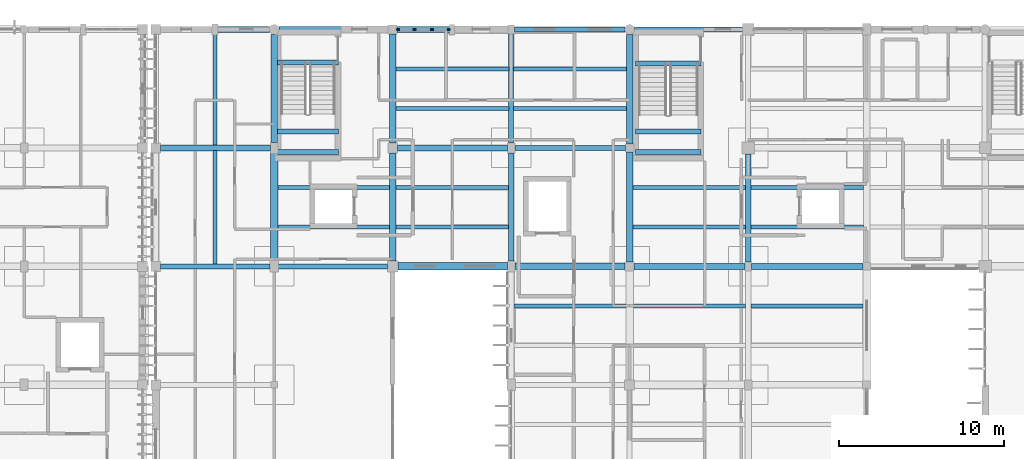
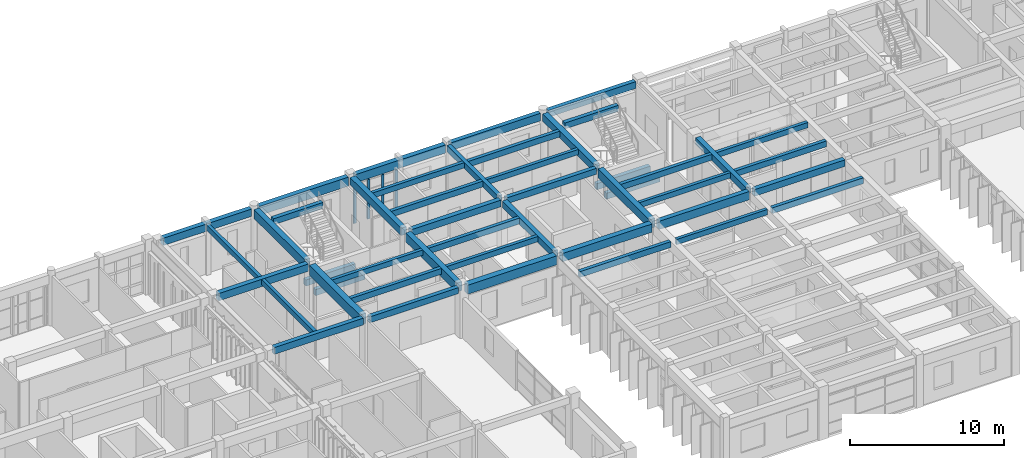
# One storey, part 16 of 55: 46 beams, 4 members, 1 element without a shape of its own.
"""IFC4 building model written with IfcOpenShell, lengths in metres."""

from ifc_helpers import new_model, si_unit, direction, frame, origin, origin_2d, place, context, subcontext, project, spatial, rectangle, extrude, material, material_profile, profile_set, type_object, element, aggregate, save


model = new_model("IFC4")

# Units and contexts
model_context = context("Model", 3, precision=1e-05, world=origin(), true_north=direction((0.0, 1.0)))
body_context = subcontext(model_context, "Body", "Model", "MODEL_VIEW")
ifc_project = project(units=[si_unit("LENGTHUNIT", "METRE"), si_unit("AREAUNIT", "SQUARE_METRE"), si_unit("VOLUMEUNIT", "CUBIC_METRE"), si_unit("PLANEANGLEUNIT", "RADIAN"), si_unit("MASSUNIT", "GRAM", prefix="KILO")], contexts=[model_context])

# Site, building, storey
site_placement = place(None, origin())
site = spatial("IfcSite", under=ifc_project, at=site_placement, CompositionType="ELEMENT")
building_placement = place(site_placement, origin())
building = spatial("IfcBuilding", under=site, at=building_placement, Name="Steenspoor Specialist Clinic", CompositionType="ELEMENT")
storey_placement = place(building_placement, frame((0.0, 0.0, 13.199951171875)))
storey = spatial("IfcBuildingStorey", under=building, at=storey_placement, Name="L03", CompositionType="ELEMENT", Elevation=13.199951171875)

# Beams
ifc_material_1 = material(Name="Concrete C35/45", Category="concrete")
ifc_material_profile_1 = material_profile(ifc_material_1, rectangle(XDim=0.300048828125, YDim=0.47998046875, at=origin_2d()), Name="RC-BM-300X480")
ifc_profile_set_1 = profile_set([ifc_material_profile_1], Name="Concrete C35/45")
beam_type_1 = type_object("IfcBeamType", Name="BM-RC-300X480", PredefinedType="BEAM", material=ifc_profile_set_1)
for number, where, z_axis, x_axis, name in (
    (1, (59.800048828125, 102.14990234375, 1.66015625), (1.0, 0.0, 0.0), (0.0, 1.0, 0.0), "Stair Mid-Landing Bearer 1 ST-V4A L03"),
    (2, (59.800048828125, 100.89990234375, 1.66015625), (1.0, 0.0, 0.0), (0.0, 1.0, 0.0), "Stair Mid-Landing Bearer 2 ST-V4A L03"),
    (3, (59.800048828125, 106.35009765625, 3.9599609375), (1.0, 0.0, 0.0), (0.0, 1.0, 0.0), "Stair Well Trimmer Beam ST-V4A L03"),
):
    element("IfcBeam", number, at=place(storey_placement, frame(where, z_axis=z_axis, x_axis=x_axis)), inside=storey, type_object=beam_type_1, Name=name, PredefinedType="BEAM", context=body_context, shape_type="SweptSolid", body=[
        extrude(rectangle(XDim=0.300048828125, YDim=0.47998046875, at=origin_2d()), origin(), (0.0, 0.0, 1.0), 3.699951171875),
    ])
for number, where, z_axis, x_axis, name in (
    (4, (81.550048828125, 102.14990234375, 1.66015625), (1.0, 0.0, 0.0), (0.0, 1.0, 0.0), "Stair Mid-Landing Bearer 1 ST-V4C L03"),
    (5, (81.550048828125, 100.89990234375, 1.66015625), (1.0, 0.0, 0.0), (0.0, 1.0, 0.0), "Stair Mid-Landing Bearer 2 ST-V4C L03"),
    (6, (81.550048828125, 106.280029296875, 3.9599609375), (1.0, 0.0, 0.0), (0.0, 1.0, 0.0), "Stair Well Trimmer Beam ST-V4C L03"),
):
    element("IfcBeam", number, at=place(storey_placement, frame(where, z_axis=z_axis, x_axis=x_axis)), inside=storey, type_object=beam_type_1, Name=name, PredefinedType="BEAM", context=body_context, shape_type="SweptSolid", body=[
        extrude(rectangle(XDim=0.300048828125, YDim=0.47998046875, at=origin_2d()), origin(), (0.0, 0.0, 1.0), 4.0),
    ])
beam_1_placement = place(storey_placement, frame((59.844970703125, 93.949951171875, 3.7099609375), z_axis=(1.0, 0.0, 0.0), x_axis=(0.0, 1.0, 0.0)))
element("IfcBeam", 7, at=beam_1_placement, inside=storey, type_object=beam_type_1, Name="BM-V4-L03-X0818", PredefinedType="BEAM", context=body_context, shape_type="SweptSolid", body=[
    extrude(rectangle(XDim=0.300048828125, YDim=0.47998046875, at=origin_2d()), origin(), (0.0, 0.0, 1.0), 6.635009765625),
])
beam_2_placement = place(storey_placement, frame((74.219970703125, 101.14990234375, 3.7099609375), z_axis=(1.0, 0.0, 0.0), x_axis=(0.0, 1.0, 0.0)))
element("IfcBeam", 8, at=beam_2_placement, inside=storey, type_object=beam_type_1, Name="BM-V4-L03-X0826", PredefinedType="BEAM", context=body_context, shape_type="SweptSolid", body=[
    extrude(rectangle(XDim=0.300048828125, YDim=0.47998046875, at=origin_2d()), origin(), (0.0, 0.0, 1.0), 6.735107421875),
])
beam_3_placement = place(storey_placement, frame((74.0, 101.445068359375, 3.7099609375), z_axis=(0.0, 1.0, 0.0), x_axis=(-1.0, 0.0, 0.0)))
element("IfcBeam", 9, at=beam_3_placement, inside=storey, type_object=beam_type_1, Name="BM-V4-L03-Y0844", PredefinedType="BEAM", context=body_context, shape_type="SweptSolid", body=[
    extrude(rectangle(XDim=0.300048828125, YDim=0.47998046875, at=origin_2d()), origin(), (0.0, 0.0, 1.0), 6.635009765625),
])
ifc_material_profile_2 = material_profile(ifc_material_1, rectangle(XDim=0.35009765625, YDim=0.52001953125, at=origin_2d()), Name="RC-BM-350X520")
ifc_profile_set_2 = profile_set([ifc_material_profile_2], Name="Concrete C35/45")
beam_type_2 = type_object("IfcBeamType", Name="BM-RC-350X520", PredefinedType="BEAM", material=ifc_profile_set_2)
beam_4_placement = place(storey_placement, frame((88.594970703125, 93.949951171875, 3.68994140625), z_axis=(1.0, 0.0, 0.0), x_axis=(0.0, 1.0, 0.0)))
element("IfcBeam", 10, at=beam_4_placement, inside=storey, type_object=beam_type_2, Name="BM-V4-L03-X0822", PredefinedType="BEAM", context=body_context, shape_type="SweptSolid", body=[
    extrude(rectangle(XDim=0.35009765625, YDim=0.52001953125, at=origin_2d()), origin(), (0.0, 0.0, 1.0), 6.784912109375),
])
beam_5_placement = place(storey_placement, frame((67.094970703125, 101.14990234375, 3.68994140625), z_axis=(1.0, 0.0, 0.0), x_axis=(0.0, 1.0, 0.0)))
element("IfcBeam", 11, at=beam_5_placement, inside=storey, type_object=beam_type_2, Name="BM-V4-L03-X0825", PredefinedType="BEAM", context=body_context, shape_type="SweptSolid", body=[
    extrude(rectangle(XDim=0.35009765625, YDim=0.52001953125, at=origin_2d()), origin(), (0.0, 0.0, 1.0), 6.68505859375),
])
beam_6_placement = place(storey_placement, frame((74.0, 94.27001953125, 3.68994140625), z_axis=(0.0, 1.0, 0.0), x_axis=(-1.0, 0.0, 0.0)))
element("IfcBeam", 12, at=beam_6_placement, inside=storey, type_object=beam_type_2, Name="BM-V4-L03-Y0843", PredefinedType="BEAM", context=body_context, shape_type="SweptSolid", body=[
    extrude(rectangle(XDim=0.35009765625, YDim=0.52001953125, at=origin_2d()), origin(), (0.0, 0.0, 1.0), 6.5849609375),
])
beam_7_placement = place(storey_placement, frame((88.39990234375, 94.219970703125, 3.68994140625), z_axis=(0.0, 1.0, 0.0), x_axis=(-1.0, 0.0, 0.0)))
element("IfcBeam", 13, at=beam_7_placement, inside=storey, type_object=beam_type_2, Name="BM-V4-L03-Y0853", PredefinedType="BEAM", context=body_context, shape_type="SweptSolid", body=[
    extrude(rectangle(XDim=0.35009765625, YDim=0.52001953125, at=origin_2d()), origin(), (0.0, 0.0, 1.0), 6.56005859375),
])
ifc_material_profile_3 = material_profile(ifc_material_1, rectangle(XDim=0.35009765625, YDim=0.580078125, at=origin_2d()), Name="RC-BM-350X580")
ifc_profile_set_3 = profile_set([ifc_material_profile_3], Name="Concrete C35/45")
beam_type_3 = type_object("IfcBeamType", Name="BM-RC-350X580", PredefinedType="BEAM", material=ifc_profile_set_3)
beam_8_placement = place(storey_placement, frame((52.695068359375, 101.14990234375, 3.66015625), z_axis=(1.0, 0.0, 0.0), x_axis=(0.0, 1.0, 0.0)))
element("IfcBeam", 14, at=beam_8_placement, inside=storey, type_object=beam_type_3, Name="BM-V4-L03-X0864", PredefinedType="BEAM", context=body_context, shape_type="SweptSolid", body=[
    extrude(rectangle(XDim=0.35009765625, YDim=0.580078125, at=origin_2d()), origin(), (0.0, 0.0, 1.0), 6.684814453125),
])
beam_9_placement = place(storey_placement, frame((52.695068359375, 108.35009765625, 3.66015625), z_axis=(1.0, 0.0, 0.0), x_axis=(0.0, 1.0, 0.0)))
element("IfcBeam", 15, at=beam_9_placement, inside=storey, type_object=beam_type_3, Name="BM-V4-L03-X0867", PredefinedType="BEAM", context=body_context, shape_type="SweptSolid", body=[
    extrude(rectangle(XDim=0.35009765625, YDim=0.580078125, at=origin_2d()), origin(), (0.0, 0.0, 1.0), 6.60986328125),
])
ifc_material_profile_4 = material_profile(ifc_material_1, rectangle(XDim=0.35009765625, YDim=0.64990234375, at=origin_2d()), Name="RC-BM-350X650")
ifc_profile_set_4 = profile_set([ifc_material_profile_4], Name="Concrete C35/45")
beam_type_4 = type_object("IfcBeamType", Name="BM-RC-350X650", PredefinedType="BEAM", material=ifc_profile_set_4)
beam_10_placement = place(storey_placement, frame((81.469970703125, 93.949951171875, 3.625), z_axis=(1.0, 0.0, 0.0), x_axis=(0.0, 1.0, 0.0)))
element("IfcBeam", 16, at=beam_10_placement, inside=storey, type_object=beam_type_4, Name="BM-V4-L03-X0821", PredefinedType="BEAM", context=body_context, shape_type="SweptSolid", body=[
    extrude(rectangle(XDim=0.35009765625, YDim=0.64990234375, at=origin_2d()), origin(), (0.0, 0.0, 1.0), 6.735107421875),
])
ifc_material_profile_5 = material_profile(ifc_material_1, rectangle(XDim=0.39990234375, YDim=0.580078125, at=origin_2d()), Name="RC-BM-400X580")
ifc_profile_set_5 = profile_set([ifc_material_profile_5], Name="Concrete C35/45")
beam_type_5 = type_object("IfcBeamType", Name="BM-RC-400X580", PredefinedType="BEAM", material=ifc_profile_set_5)
beam_11_placement = place(storey_placement, frame((66.800048828125, 101.445068359375, 3.66015625), z_axis=(0.0, 1.0, 0.0), x_axis=(-1.0, 0.0, 0.0)))
element("IfcBeam", 17, at=beam_11_placement, inside=storey, type_object=beam_type_5, Name="BM-V4-L03-Y0839", PredefinedType="BEAM", context=body_context, shape_type="SweptSolid", body=[
    extrude(rectangle(XDim=0.39990234375, YDim=0.580078125, at=origin_2d()), origin(), (0.0, 0.0, 1.0), 6.635009765625),
])
beam_12_placement = place(storey_placement, frame((81.199951171875, 101.39501953125, 3.66015625), z_axis=(0.0, 1.0, 0.0), x_axis=(-1.0, 0.0, 0.0)))
element("IfcBeam", 18, at=beam_12_placement, inside=storey, type_object=beam_type_5, Name="BM-V4-L03-Y0849", PredefinedType="BEAM", context=body_context, shape_type="SweptSolid", body=[
    extrude(rectangle(XDim=0.39990234375, YDim=0.580078125, at=origin_2d()), origin(), (0.0, 0.0, 1.0), 6.659912109375),
])
ifc_material_profile_6 = material_profile(ifc_material_1, rectangle(XDim=0.39990234375, YDim=0.64990234375, at=origin_2d()), Name="RC-BM-400X650")
ifc_profile_set_6 = profile_set([ifc_material_profile_6], Name="Concrete C35/45")
beam_type_6 = type_object("IfcBeamType", Name="BM-RC-400X650", PredefinedType="BEAM", material=ifc_profile_set_6)
beam_13_placement = place(storey_placement, frame((74.219970703125, 93.949951171875, 3.625), z_axis=(1.0, 0.0, 0.0), x_axis=(0.0, 1.0, 0.0)))
element("IfcBeam", 19, at=beam_13_placement, inside=storey, type_object=beam_type_6, Name="BM-V4-L03-X0820", PredefinedType="BEAM", context=body_context, shape_type="SweptSolid", body=[
    extrude(rectangle(XDim=0.39990234375, YDim=0.64990234375, at=origin_2d()), origin(), (0.0, 0.0, 1.0), 6.7099609375),
])
ifc_material_profile_7 = material_profile(ifc_material_1, rectangle(XDim=0.39990234375, YDim=0.699951171875, at=origin_2d()), Name="RC-BM-400X700")
ifc_profile_set_7 = profile_set([ifc_material_profile_7], Name="Concrete C35/45")
beam_type_7 = type_object("IfcBeamType", Name="BM-RC-400X700", PredefinedType="BEAM", material=ifc_profile_set_7)
for number, where, z_axis, x_axis, name in (
    (20, (59.60009765625, 101.469970703125, 3.60009765625), (0.0, 1.0, 0.0), (-1.0, 0.0, 0.0), "BM-V4-L03-Y0837"),
    (21, (66.800048828125, 94.27001953125, 3.60009765625), (0.0, 1.0, 0.0), (-1.0, 0.0, 0.0), "BM-V4-L03-Y0838"),
):
    element("IfcBeam", number, at=place(storey_placement, frame(where, z_axis=z_axis, x_axis=x_axis)), inside=storey, type_object=beam_type_7, Name=name, PredefinedType="BEAM", context=body_context, shape_type="SweptSolid", body=[
        extrude(rectangle(XDim=0.39990234375, YDim=0.699951171875, at=origin_2d()), origin(), (0.0, 0.0, 1.0), 6.5849609375),
    ])
beam_14_placement = place(storey_placement, frame((81.199951171875, 94.219970703125, 3.60009765625), z_axis=(0.0, 1.0, 0.0), x_axis=(-1.0, 0.0, 0.0)))
element("IfcBeam", 22, at=beam_14_placement, inside=storey, type_object=beam_type_7, Name="BM-V4-L03-Y0848", PredefinedType="BEAM", context=body_context, shape_type="SweptSolid", body=[
    extrude(rectangle(XDim=0.39990234375, YDim=0.699951171875, at=origin_2d()), origin(), (0.0, 0.0, 1.0), 6.68505859375),
])
ifc_material_profile_8 = material_profile(ifc_material_1, rectangle(XDim=0.449951171875, YDim=0.719970703125, at=origin_2d()), Name="RC-BM-450X720")
ifc_profile_set_8 = profile_set([ifc_material_profile_8], Name="Concrete C35/45")
beam_type_8 = type_object("IfcBeamType", Name="BM-RC-450X720", PredefinedType="BEAM", material=ifc_profile_set_8)
beam_15_placement = place(storey_placement, frame((67.1201171875, 93.949951171875, 3.590087890625), z_axis=(1.0, 0.0, 0.0), x_axis=(0.0, 1.0, 0.0)))
element("IfcBeam", 23, at=beam_15_placement, inside=storey, type_object=beam_type_8, Name="BM-V4-L03-X0819", PredefinedType="BEAM", context=body_context, shape_type="SweptSolid", body=[
    extrude(rectangle(XDim=0.449951171875, YDim=0.719970703125, at=origin_2d()), origin(), (0.0, 0.0, 1.0), 6.659912109375),
])
ifc_material_profile_9 = material_profile(ifc_material_1, rectangle(XDim=0.449951171875, YDim=0.800048828125, at=origin_2d()), Name="RC-BM-450X800")
ifc_profile_set_9 = profile_set([ifc_material_profile_9], Name="Concrete C35/45")
beam_type_9 = type_object("IfcBeamType", Name="BM-RC-450X800", PredefinedType="BEAM", material=ifc_profile_set_9)
beam_16_placement = place(storey_placement, frame((59.60009765625, 94.294921875, 3.550048828125), z_axis=(0.0, 1.0, 0.0), x_axis=(-1.0, 0.0, 0.0)))
element("IfcBeam", 24, at=beam_16_placement, inside=storey, type_object=beam_type_9, Name="BM-V4-L03-Y0836", PredefinedType="BEAM", context=body_context, shape_type="SweptSolid", body=[
    extrude(rectangle(XDim=0.449951171875, YDim=0.800048828125, at=origin_2d()), origin(), (0.0, 0.0, 1.0), 6.53515625),
])

# Curtain wall, members
ifc_material_2 = material(Name="Thermally broken aluminium and low-emissivity glass", Category="aluminium")
curtain_wall_type = type_object("IfcCurtainWallType", Name="CW-TYP-540X355", PredefinedType="USERDEFINED", material=ifc_material_2)
curtain_wall_placement = place(storey_placement, origin())
curtain_wall = element("IfcCurtainWall", 25, at=curtain_wall_placement, inside=storey, type_object=curtain_wall_type, Name="Unitised Curtain Wall CW-V4-L03-107", ObjectType="UNITISED GLAZING", PredefinedType="USERDEFINED")
ifc_material_3 = material(Name="Thermally broken aluminium 6063-T6", Category="aluminium")
ifc_material_profile_10 = material_profile(ifc_material_3, rectangle(XDim=0.090087890625, YDim=0.199951171875, at=origin_2d()), Name="CWM-90X200")
ifc_profile_set_10 = profile_set([ifc_material_profile_10], Name="Thermally broken aluminium 6063-T6")
member_type = type_object("IfcMemberType", Name="CW-MULL-90X200", PredefinedType="MULLION", material=ifc_profile_set_10)
member_1_placement = place(storey_placement, frame((67.1201171875, 108.35009765625, 0.0), z_axis=(0.0, 0.0, 1.0), x_axis=(0.0, 1.0, 0.0)))
member_1 = element("IfcMember", 26, at=member_1_placement, type_object=member_type, Name="CW-11 mullion 1", PredefinedType="MULLION", context=body_context, shape_type="SweptSolid", body=[
    extrude(rectangle(XDim=0.090087890625, YDim=0.199951171875, at=origin_2d()), origin(), (0.0, 0.0, 1.0), 3.130126953125),
])
member_2_placement = place(storey_placement, frame((68.13330078125, 108.35009765625, 0.0), z_axis=(0.0, 0.0, 1.0), x_axis=(0.0, 1.0, 0.0)))
member_2 = element("IfcMember", 27, at=member_2_placement, type_object=member_type, Name="CW-11 mullion 2", PredefinedType="MULLION", context=body_context, shape_type="SweptSolid", body=[
    extrude(rectangle(XDim=0.090087890625, YDim=0.199951171875, at=origin_2d()), origin(), (0.0, 0.0, 1.0), 3.130126953125),
])
member_3_placement = place(storey_placement, frame((69.191650390625, 108.35009765625, 0.0), z_axis=(0.0, 0.0, 1.0), x_axis=(0.0, 1.0, 0.0)))
member_3 = element("IfcMember", 28, at=member_3_placement, type_object=member_type, Name="CW-11 mullion 3", PredefinedType="MULLION", context=body_context, shape_type="SweptSolid", body=[
    extrude(rectangle(XDim=0.090087890625, YDim=0.199951171875, at=origin_2d()), origin(), (0.0, 0.0, 1.0), 3.130126953125),
])
member_4_placement = place(storey_placement, frame((70.205078125, 108.35009765625, 0.0), z_axis=(0.0, 0.0, 1.0), x_axis=(0.0, 1.0, 0.0)))
member_4 = element("IfcMember", 29, at=member_4_placement, type_object=member_type, Name="CW-11 mullion 4", PredefinedType="MULLION", context=body_context, shape_type="SweptSolid", body=[
    extrude(rectangle(XDim=0.090087890625, YDim=0.199951171875, at=origin_2d()), origin(), (0.0, 0.0, 1.0), 3.130126953125),
])
aggregate(curtain_wall, [member_1, member_2, member_3, member_4])

# Beams
ifc_material_profile_11 = material_profile(ifc_material_1, rectangle(XDim=0.239990234375, YDim=0.419921875, at=origin_2d()), Name="RC-JT-240X420")
ifc_profile_set_11 = profile_set([ifc_material_profile_11], Name="Concrete C35/45")
beam_type_10 = type_object("IfcBeamType", Name="JT-RC-240X420", PredefinedType="JOIST", material=ifc_profile_set_11)
beam_17_placement = place(storey_placement, frame((56.0, 94.10498046875, 3.739990234375), z_axis=(0.0, 1.0, 0.0), x_axis=(-1.0, 0.0, 0.0)))
element("IfcBeam", 30, at=beam_17_placement, inside=storey, type_object=beam_type_10, Name="JT-V4-L03-0866", PredefinedType="JOIST", context=body_context, shape_type="SweptSolid", body=[
    extrude(rectangle(XDim=0.239990234375, YDim=0.419921875, at=origin_2d()), origin(), (0.0, 0.0, 1.0), 6.875),
])
beam_18_placement = place(storey_placement, frame((56.0, 101.320068359375, 3.739990234375), z_axis=(0.0, 1.0, 0.0), x_axis=(-1.0, 0.0, 0.0)))
element("IfcBeam", 31, at=beam_18_placement, inside=storey, type_object=beam_type_10, Name="JT-V4-L03-0869", PredefinedType="JOIST", context=body_context, shape_type="SweptSolid", body=[
    extrude(rectangle(XDim=0.239990234375, YDim=0.419921875, at=origin_2d()), origin(), (0.0, 0.0, 1.0), 6.85986328125),
])
beam_19_placement = place(storey_placement, frame((59.820068359375, 98.75, 3.739990234375), z_axis=(1.0, 0.0, 0.0), x_axis=(0.0, 1.0, 0.0)))
element("IfcBeam", 32, at=beam_19_placement, inside=storey, type_object=beam_type_10, Name="JT-V4-L03-0871", PredefinedType="JOIST", context=body_context, shape_type="SweptSolid", body=[
    extrude(rectangle(XDim=0.239990234375, YDim=0.419921875, at=origin_2d()), origin(), (0.0, 0.0, 1.0), 6.784912109375),
])
beam_20_placement = place(storey_placement, frame((66.9951171875, 96.35009765625, 3.739990234375), z_axis=(1.0, 0.0, 0.0), x_axis=(0.0, 1.0, 0.0)))
element("IfcBeam", 33, at=beam_20_placement, inside=storey, type_object=beam_type_10, Name="JT-V4-L03-0872", PredefinedType="JOIST", context=body_context, shape_type="SweptSolid", body=[
    extrude(rectangle(XDim=0.239990234375, YDim=0.419921875, at=origin_2d()), origin(), (0.0, 0.0, 1.0), 6.8349609375),
])
for number, where, z_axis, x_axis, name in (
    (34, (66.9951171875, 105.949951171875, 3.739990234375), (1.0, 0.0, 0.0), (0.0, 1.0, 0.0), "JT-V4-L03-0875"),
    (35, (74.14501953125, 103.550048828125, 3.739990234375), (1.0, 0.0, 0.0), (0.0, 1.0, 0.0), "JT-V4-L03-0882"),
):
    element("IfcBeam", number, at=place(storey_placement, frame(where, z_axis=z_axis, x_axis=x_axis)), inside=storey, type_object=beam_type_10, Name=name, PredefinedType="JOIST", context=body_context, shape_type="SweptSolid", body=[
        extrude(rectangle(XDim=0.239990234375, YDim=0.419921875, at=origin_2d()), origin(), (0.0, 0.0, 1.0), 6.85986328125),
    ])
beam_21_placement = place(storey_placement, frame((81.419921875, 91.550048828125, 3.739990234375), z_axis=(1.0, 0.0, 0.0), x_axis=(0.0, 1.0, 0.0)))
element("IfcBeam", 36, at=beam_21_placement, inside=storey, type_object=beam_type_10, Name="JT-V4-L03-0889", PredefinedType="JOIST", context=body_context, shape_type="SweptSolid", body=[
    extrude(rectangle(XDim=0.239990234375, YDim=0.419921875, at=origin_2d()), origin(), (0.0, 0.0, 1.0), 6.81005859375),
])
for number, where, z_axis, x_axis, name in (
    (37, (81.39501953125, 96.35009765625, 3.739990234375), (1.0, 0.0, 0.0), (0.0, 1.0, 0.0), "JT-V4-L03-0890"),
    (38, (88.570068359375, 98.75, 3.739990234375), (1.0, 0.0, 0.0), (0.0, 1.0, 0.0), "JT-V4-L03-0899"),
):
    element("IfcBeam", number, at=place(storey_placement, frame(where, z_axis=z_axis, x_axis=x_axis)), inside=storey, type_object=beam_type_10, Name=name, PredefinedType="JOIST", context=body_context, shape_type="SweptSolid", body=[
        extrude(rectangle(XDim=0.239990234375, YDim=0.419921875, at=origin_2d()), origin(), (0.0, 0.0, 1.0), 6.8349609375),
    ])
ifc_material_profile_12 = material_profile(ifc_material_1, rectangle(XDim=0.260009765625, YDim=0.4599609375, at=origin_2d()), Name="RC-JT-260X460")
ifc_profile_set_12 = profile_set([ifc_material_profile_12], Name="Concrete C35/45")
beam_type_11 = type_object("IfcBeamType", Name="JT-RC-260X460", PredefinedType="JOIST", material=ifc_profile_set_12)
beam_22_placement = place(storey_placement, frame((59.820068359375, 96.35009765625, 3.719970703125), z_axis=(1.0, 0.0, 0.0), x_axis=(0.0, 1.0, 0.0)))
element("IfcBeam", 39, at=beam_22_placement, inside=storey, type_object=beam_type_11, Name="JT-V4-L03-0870", PredefinedType="JOIST", context=body_context, shape_type="SweptSolid", body=[
    extrude(rectangle(XDim=0.260009765625, YDim=0.4599609375, at=origin_2d()), origin(), (0.0, 0.0, 1.0), 6.784912109375),
])
beam_23_placement = place(storey_placement, frame((66.9951171875, 98.75, 3.719970703125), z_axis=(1.0, 0.0, 0.0), x_axis=(0.0, 1.0, 0.0)))
element("IfcBeam", 40, at=beam_23_placement, inside=storey, type_object=beam_type_11, Name="JT-V4-L03-0873", PredefinedType="JOIST", context=body_context, shape_type="SweptSolid", body=[
    extrude(rectangle(XDim=0.260009765625, YDim=0.4599609375, at=origin_2d()), origin(), (0.0, 0.0, 1.0), 6.8349609375),
])
beam_24_placement = place(storey_placement, frame((66.9951171875, 103.550048828125, 3.719970703125), z_axis=(1.0, 0.0, 0.0), x_axis=(0.0, 1.0, 0.0)))
element("IfcBeam", 41, at=beam_24_placement, inside=storey, type_object=beam_type_11, Name="JT-V4-L03-0874", PredefinedType="JOIST", context=body_context, shape_type="SweptSolid", body=[
    extrude(rectangle(XDim=0.260009765625, YDim=0.4599609375, at=origin_2d()), origin(), (0.0, 0.0, 1.0), 6.85986328125),
])
beam_25_placement = place(storey_placement, frame((74.169921875, 91.550048828125, 3.719970703125), z_axis=(1.0, 0.0, 0.0), x_axis=(0.0, 1.0, 0.0)))
element("IfcBeam", 42, at=beam_25_placement, inside=storey, type_object=beam_type_11, Name="JT-V4-L03-0881", PredefinedType="JOIST", context=body_context, shape_type="SweptSolid", body=[
    extrude(rectangle(XDim=0.260009765625, YDim=0.4599609375, at=origin_2d()), origin(), (0.0, 0.0, 1.0), 6.81005859375),
])
beam_26_placement = place(storey_placement, frame((74.14501953125, 105.949951171875, 3.719970703125), z_axis=(1.0, 0.0, 0.0), x_axis=(0.0, 1.0, 0.0)))
element("IfcBeam", 43, at=beam_26_placement, inside=storey, type_object=beam_type_11, Name="JT-V4-L03-0883", PredefinedType="JOIST", context=body_context, shape_type="SweptSolid", body=[
    extrude(rectangle(XDim=0.260009765625, YDim=0.4599609375, at=origin_2d()), origin(), (0.0, 0.0, 1.0), 6.85986328125),
])
beam_27_placement = place(storey_placement, frame((81.39501953125, 98.75, 3.719970703125), z_axis=(1.0, 0.0, 0.0), x_axis=(0.0, 1.0, 0.0)))
element("IfcBeam", 44, at=beam_27_placement, inside=storey, type_object=beam_type_11, Name="JT-V4-L03-0891", PredefinedType="JOIST", context=body_context, shape_type="SweptSolid", body=[
    extrude(rectangle(XDim=0.260009765625, YDim=0.4599609375, at=origin_2d()), origin(), (0.0, 0.0, 1.0), 6.8349609375),
])
beam_28_placement = place(storey_placement, frame((88.570068359375, 91.550048828125, 3.719970703125), z_axis=(1.0, 0.0, 0.0), x_axis=(0.0, 1.0, 0.0)))
element("IfcBeam", 45, at=beam_28_placement, inside=storey, type_object=beam_type_11, Name="JT-V4-L03-0897", PredefinedType="JOIST", context=body_context, shape_type="SweptSolid", body=[
    extrude(rectangle(XDim=0.260009765625, YDim=0.4599609375, at=origin_2d()), origin(), (0.0, 0.0, 1.0), 6.809814453125),
])
beam_29_placement = place(storey_placement, frame((88.570068359375, 96.35009765625, 3.719970703125), z_axis=(1.0, 0.0, 0.0), x_axis=(0.0, 1.0, 0.0)))
element("IfcBeam", 46, at=beam_29_placement, inside=storey, type_object=beam_type_11, Name="JT-V4-L03-0898", PredefinedType="JOIST", context=body_context, shape_type="SweptSolid", body=[
    extrude(rectangle(XDim=0.260009765625, YDim=0.4599609375, at=origin_2d()), origin(), (0.0, 0.0, 1.0), 6.8349609375),
])
ifc_material_profile_13 = material_profile(ifc_material_1, rectangle(XDim=0.320068359375, YDim=0.5400390625, at=origin_2d()), Name="RC-SP-320X540")
ifc_profile_set_13 = profile_set([ifc_material_profile_13], Name="Concrete C35/45")
beam_type_12 = type_object("IfcBeamType", Name="SP-RC-320X540", PredefinedType="SPANDREL", material=ifc_profile_set_13)
beam_30_placement = place(storey_placement, frame((81.4951171875, 108.35009765625, 3.679931640625), z_axis=(1.0, 0.0, 0.0), x_axis=(0.0, 1.0, 0.0)))
element("IfcBeam", 47, at=beam_30_placement, inside=storey, type_object=beam_type_12, Name="BM-V4-L03-X0832", PredefinedType="SPANDREL", context=body_context, shape_type="SweptSolid", body=[
    extrude(rectangle(XDim=0.320068359375, YDim=0.5400390625, at=origin_2d()), origin(), (0.0, 0.0, 1.0), 6.559814453125),
])
beam_31_placement = place(storey_placement, frame((52.695068359375, 93.949951171875, 3.76513671875), z_axis=(1.0, 0.0, 0.0), x_axis=(0.0, 1.0, 0.0)))
element("IfcBeam", 48, at=beam_31_placement, inside=storey, type_object=beam_type_12, Name="BMTIER-V4-L03-X00-04", PredefinedType="SPANDREL", context=body_context, shape_type="SweptSolid", body=[
    extrude(rectangle(XDim=0.320068359375, YDim=0.5400390625, at=origin_2d()), origin(), (0.0, 0.0, 1.0), 6.659912109375),
])
ifc_material_profile_14 = material_profile(ifc_material_1, rectangle(XDim=0.320068359375, YDim=0.60009765625, at=origin_2d()), Name="RC-SP-320X600")
ifc_profile_set_14 = profile_set([ifc_material_profile_14], Name="Concrete C35/45")
beam_type_13 = type_object("IfcBeamType", Name="SP-RC-320X600", PredefinedType="SPANDREL", material=ifc_profile_set_14)
beam_32_placement = place(storey_placement, frame((74.195068359375, 108.35009765625, 3.650146484375), z_axis=(1.0, 0.0, 0.0), x_axis=(0.0, 1.0, 0.0)))
element("IfcBeam", 49, at=beam_32_placement, inside=storey, type_object=beam_type_13, Name="BM-V4-L03-X0831", PredefinedType="SPANDREL", context=body_context, shape_type="SweptSolid", body=[
    extrude(rectangle(XDim=0.320068359375, YDim=0.60009765625, at=origin_2d()), origin(), (0.0, 0.0, 1.0), 6.7099609375),
])
ifc_material_profile_15 = material_profile(ifc_material_1, rectangle(XDim=0.360107421875, YDim=0.639892578125, at=origin_2d()), Name="RC-SP-360X640")
ifc_profile_set_15 = profile_set([ifc_material_profile_15], Name="Concrete C35/45")
beam_type_14 = type_object("IfcBeamType", Name="SP-RC-360X640", PredefinedType="SPANDREL", material=ifc_profile_set_15)
beam_33_placement = place(storey_placement, frame((67.070068359375, 108.35009765625, 3.630126953125), z_axis=(1.0, 0.0, 0.0), x_axis=(0.0, 1.0, 0.0)))
element("IfcBeam", 50, at=beam_33_placement, inside=storey, type_object=beam_type_14, Name="BM-V4-L03-X0830", PredefinedType="SPANDREL", context=body_context, shape_type="SweptSolid", body=[
    extrude(rectangle(XDim=0.360107421875, YDim=0.639892578125, at=origin_2d()), origin(), (0.0, 0.0, 1.0), 6.73486328125),
])
ifc_material_profile_16 = material_profile(ifc_material_1, rectangle(XDim=0.360107421875, YDim=0.719970703125, at=origin_2d()), Name="RC-SP-360X720")
ifc_profile_set_16 = profile_set([ifc_material_profile_16], Name="Concrete C35/45")
beam_type_15 = type_object("IfcBeamType", Name="SP-RC-360X720", PredefinedType="SPANDREL", material=ifc_profile_set_16)
beam_34_placement = place(storey_placement, frame((59.89501953125, 108.35009765625, 3.590087890625), z_axis=(1.0, 0.0, 0.0), x_axis=(0.0, 1.0, 0.0)))
element("IfcBeam", 51, at=beam_34_placement, inside=storey, type_object=beam_type_15, Name="BM-V4-L03-X0829", PredefinedType="SPANDREL", context=body_context, shape_type="SweptSolid", body=[
    extrude(rectangle(XDim=0.360107421875, YDim=0.719970703125, at=origin_2d()), origin(), (0.0, 0.0, 1.0), 6.635009765625),
])

save(model, "model.ifc")
